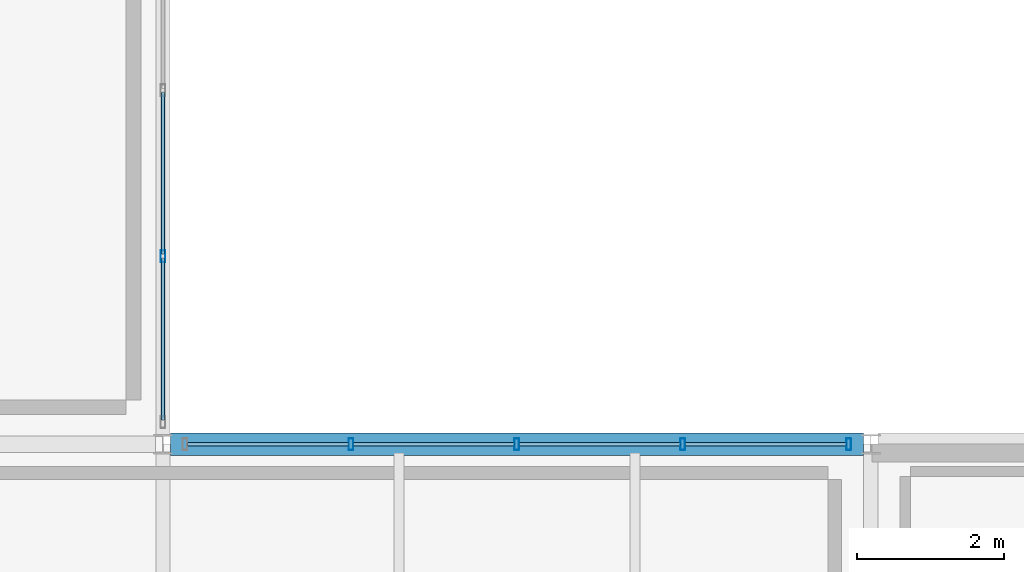
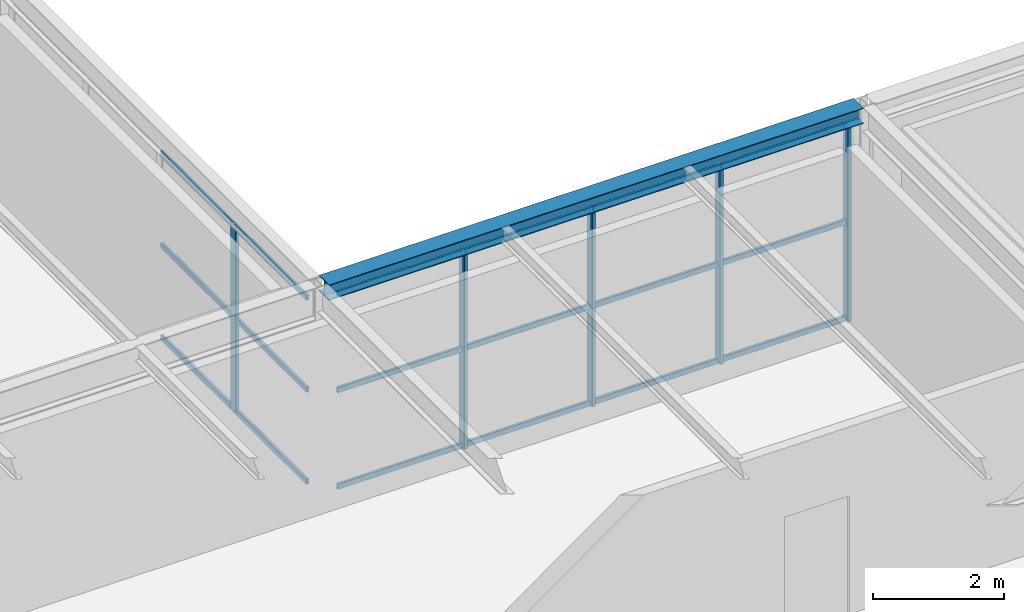
# One storey, part 16 of 39: 23 members, 1 beam, 2 elements without a shape of their own.
"""IFC4 building model written with IfcOpenShell, lengths in metres."""

from ifc_helpers import new_model, si_unit, direction, frame, origin, origin_2d, place, context, subcontext, project, spatial, hollow_rectangle, i_section, extrude, material, material_profile, profile_set, type_object, element, aggregate, save


model = new_model("IFC4")

# Units and contexts
model_context = context("Model", 3, precision=1e-05, world=origin(), true_north=direction((0.0, 1.0)))
body_context = subcontext(model_context, "Body", "Model", "MODEL_VIEW")
ifc_project = project(units=[si_unit("LENGTHUNIT", "METRE"), si_unit("AREAUNIT", "SQUARE_METRE"), si_unit("VOLUMEUNIT", "CUBIC_METRE"), si_unit("PLANEANGLEUNIT", "RADIAN"), si_unit("MASSUNIT", "GRAM", prefix="KILO")], contexts=[model_context])

# Site, building, storey
site_placement = place(None, origin())
site = spatial("IfcSite", under=ifc_project, at=site_placement, CompositionType="ELEMENT")
building_placement = place(site_placement, origin())
building = spatial("IfcBuilding", under=site, at=building_placement, Name="Coralgate Yard Interchange", CompositionType="ELEMENT")
storey_placement = place(building_placement, frame((0.0, 0.0, 18.89990234375)))
storey = spatial("IfcBuildingStorey", under=building, at=storey_placement, Name="L04", CompositionType="ELEMENT", Elevation=18.89990234375)

# Beam
ifc_material_1 = material(Name="Structural steel S355J2", Category="steel")
ifc_material_profile_1 = material_profile(ifc_material_1, i_section(OverallWidth=0.300048828125, OverallDepth=0.2900390625, WebThickness=0.008544921875, FlangeThickness=0.013916015625, FilletRadius=0.027099609375, at=origin_2d()), Name="HEA 300")
ifc_profile_set_1 = profile_set([ifc_material_profile_1], Name="Structural steel S355J2")
beam_type = type_object("IfcBeamType", Name="BM-SP-2", PredefinedType="SPANDREL", material=ifc_profile_set_1)
beam_placement = place(storey_placement, frame((19.29931640625, 19.199951171875, 3.80517578125), z_axis=(1.0, 0.0, 0.0), x_axis=(0.0, 1.0, 0.0)))
element("IfcBeam", 1, at=beam_placement, inside=storey, type_object=beam_type, Name="L04 primary grid beam Y2 X2-3", PredefinedType="SPANDREL", context=body_context, shape_type="SweptSolid", body=[
    extrude(i_section(OverallWidth=0.300048828125, OverallDepth=0.2900390625, WebThickness=0.008544921875, FlangeThickness=0.013916015625, FilletRadius=0.027099609375, at=origin_2d()), origin(), (0.0, 0.0, 1.0), 9.4013671875),
])

# Curtain wall, member
ifc_material_2 = material(Name="Anodised coastal aluminium and solar-control low-E glass", Category="aluminium")
curtain_wall_type = type_object("IfcCurtainWallType", Name="CW-CW-L04-A", PredefinedType="NOTDEFINED", material=ifc_material_2)
curtain_wall_1_placement = place(storey_placement, origin())
curtain_wall_1 = element("IfcCurtainWall", 2, at=curtain_wall_1_placement, inside=storey, type_object=curtain_wall_type, Name="L04 unitised curtain wall CW-L04-E-01-02", PredefinedType="NOTDEFINED")
ifc_material_3 = material(Name="Anodised coastal aluminium 6063-T6", Category="aluminium")
ifc_material_profile_2 = material_profile(ifc_material_3, hollow_rectangle(XDim=0.06494140625, YDim=0.159912109375, WallThickness=0.00390625, InnerFilletRadius=0.00390625, OuterFilletRadius=0.008056640625, at=origin_2d()), Name="ALU 65x160x4")
ifc_profile_set_2 = profile_set([ifc_material_profile_2], Name="Anodised coastal aluminium 6063-T6")
member_type_1 = type_object("IfcMemberType", Name="MB-MUL-160", PredefinedType="MULLION", material=ifc_profile_set_2)
member_1_placement = place(storey_placement, frame((19.199951171875, 21.75, 0.0), z_axis=(0.0, 0.0, 1.0), x_axis=(1.0, 0.0, 0.0)))
member_1 = element("IfcMember", 3, at=member_1_placement, type_object=member_type_1, Name="CW-L04-E-01-02 vertical mullion 4", PredefinedType="MULLION", context=body_context, shape_type="SweptSolid", body=[
    extrude(hollow_rectangle(XDim=0.06494140625, YDim=0.159912109375, WallThickness=0.00390625, InnerFilletRadius=0.00390625, OuterFilletRadius=0.008056640625, at=origin_2d()), origin(), (0.0, 0.0, 1.0), 3.4931640625),
])

# Curtain wall, members
curtain_wall_2_placement = place(storey_placement, origin())
curtain_wall_2 = element("IfcCurtainWall", 4, at=curtain_wall_2_placement, inside=storey, type_object=curtain_wall_type, Name="L04 unitised curtain wall CW-L04-N-02-01", PredefinedType="NOTDEFINED")
member_2_placement = place(storey_placement, frame((21.75, 19.199951171875, 0.0), z_axis=(0.0, 0.0, 1.0), x_axis=(1.0, 0.0, 0.0)))
member_2 = element("IfcMember", 5, at=member_2_placement, type_object=member_type_1, Name="CW-L04-N-02-01 vertical mullion 2", PredefinedType="MULLION", context=body_context, shape_type="SweptSolid", body=[
    extrude(hollow_rectangle(XDim=0.06494140625, YDim=0.159912109375, WallThickness=0.00390625, InnerFilletRadius=0.00390625, OuterFilletRadius=0.008056640625, at=origin_2d()), origin(), (0.0, 0.0, 1.0), 3.66015625),
])
member_3_placement = place(storey_placement, frame((24.0, 19.199951171875, 0.0), z_axis=(0.0, 0.0, 1.0), x_axis=(1.0, 0.0, 0.0)))
member_3 = element("IfcMember", 6, at=member_3_placement, type_object=member_type_1, Name="CW-L04-N-02-01 vertical mullion 3", PredefinedType="MULLION", context=body_context, shape_type="SweptSolid", body=[
    extrude(hollow_rectangle(XDim=0.06494140625, YDim=0.159912109375, WallThickness=0.00390625, InnerFilletRadius=0.00390625, OuterFilletRadius=0.008056640625, at=origin_2d()), origin(), (0.0, 0.0, 1.0), 3.66015625),
])
member_4_placement = place(storey_placement, frame((26.25, 19.199951171875, 0.0), z_axis=(0.0, 0.0, 1.0), x_axis=(1.0, 0.0, 0.0)))
member_4 = element("IfcMember", 7, at=member_4_placement, type_object=member_type_1, Name="CW-L04-N-02-01 vertical mullion 4", PredefinedType="MULLION", context=body_context, shape_type="SweptSolid", body=[
    extrude(hollow_rectangle(XDim=0.06494140625, YDim=0.159912109375, WallThickness=0.00390625, InnerFilletRadius=0.00390625, OuterFilletRadius=0.008056640625, at=origin_2d()), origin(), (0.0, 0.0, 1.0), 3.66015625),
])
member_5_placement = place(storey_placement, frame((28.5, 19.199951171875, 0.0), z_axis=(0.0, 0.0, 1.0), x_axis=(1.0, 0.0, 0.0)))
member_5 = element("IfcMember", 8, at=member_5_placement, type_object=member_type_1, Name="CW-L04-N-02-01 vertical mullion 5", PredefinedType="MULLION", context=body_context, shape_type="SweptSolid", body=[
    extrude(hollow_rectangle(XDim=0.06494140625, YDim=0.159912109375, WallThickness=0.00390625, InnerFilletRadius=0.00390625, OuterFilletRadius=0.008056640625, at=origin_2d()), origin(), (0.0, 0.0, 1.0), 3.66015625),
])

# Member
ifc_material_profile_3 = material_profile(ifc_material_3, hollow_rectangle(XDim=0.050048828125, YDim=0.10009765625, WallThickness=0.0029296875, InnerFilletRadius=0.0029296875, OuterFilletRadius=0.006103515625, at=origin_2d()), Name="ALU 50x100x3")
ifc_profile_set_3 = profile_set([ifc_material_profile_3], Name="Anodised coastal aluminium 6063-T6")
member_type_2 = type_object("IfcMemberType", Name="MB-TRN-100", PredefinedType="USERDEFINED", material=ifc_profile_set_3)
member_6_placement = place(storey_placement, frame((19.199951171875, 23.969970703125, 0.03515625), z_axis=(0.0, -1.0, 0.0), x_axis=(1.0, 0.0, 0.0)))
member_6 = element("IfcMember", 9, at=member_6_placement, type_object=member_type_2, Name="CW-L04-E-01-02 horizontal transom 3-1", ObjectType="TRANSOM", PredefinedType="USERDEFINED", context=body_context, shape_type="SweptSolid", body=[
    extrude(hollow_rectangle(XDim=0.050048828125, YDim=0.10009765625, WallThickness=0.0029296875, InnerFilletRadius=0.0029296875, OuterFilletRadius=0.006103515625, at=origin_2d()), origin(), (0.0, 0.0, 1.0), 2.18994140625),
])

member_7_placement = place(storey_placement, frame((19.199951171875, 23.969970703125, 1.74658203125), z_axis=(0.0, -1.0, 0.0), x_axis=(1.0, 0.0, 0.0)))
member_7 = element("IfcMember", 10, at=member_7_placement, type_object=member_type_2, Name="CW-L04-E-01-02 horizontal transom 3-2", ObjectType="TRANSOM", PredefinedType="USERDEFINED", context=body_context, shape_type="SweptSolid", body=[
    extrude(hollow_rectangle(XDim=0.050048828125, YDim=0.10009765625, WallThickness=0.0029296875, InnerFilletRadius=0.0029296875, OuterFilletRadius=0.006103515625, at=origin_2d()), origin(), (0.0, 0.0, 1.0), 2.18994140625),
])

member_8_placement = place(storey_placement, frame((19.199951171875, 23.969970703125, 3.4580078125), z_axis=(0.0, -1.0, 0.0), x_axis=(1.0, 0.0, 0.0)))
member_8 = element("IfcMember", 11, at=member_8_placement, type_object=member_type_2, Name="CW-L04-E-01-02 horizontal transom 3-3", ObjectType="TRANSOM", PredefinedType="USERDEFINED", context=body_context, shape_type="SweptSolid", body=[
    extrude(hollow_rectangle(XDim=0.050048828125, YDim=0.10009765625, WallThickness=0.0029296875, InnerFilletRadius=0.0029296875, OuterFilletRadius=0.006103515625, at=origin_2d()), origin(), (0.0, 0.0, 1.0), 2.18994140625),
])

member_9_placement = place(storey_placement, frame((19.199951171875, 21.719970703125, 0.03515625), z_axis=(0.0, -1.0, 0.0), x_axis=(1.0, 0.0, 0.0)))
member_9 = element("IfcMember", 12, at=member_9_placement, type_object=member_type_2, Name="CW-L04-E-01-02 horizontal transom 4-1", ObjectType="TRANSOM", PredefinedType="USERDEFINED", context=body_context, shape_type="SweptSolid", body=[
    extrude(hollow_rectangle(XDim=0.050048828125, YDim=0.10009765625, WallThickness=0.0029296875, InnerFilletRadius=0.0029296875, OuterFilletRadius=0.006103515625, at=origin_2d()), origin(), (0.0, 0.0, 1.0), 2.18994140625),
])

member_10_placement = place(storey_placement, frame((19.199951171875, 21.719970703125, 1.74658203125), z_axis=(0.0, -1.0, 0.0), x_axis=(1.0, 0.0, 0.0)))
member_10 = element("IfcMember", 13, at=member_10_placement, type_object=member_type_2, Name="CW-L04-E-01-02 horizontal transom 4-2", ObjectType="TRANSOM", PredefinedType="USERDEFINED", context=body_context, shape_type="SweptSolid", body=[
    extrude(hollow_rectangle(XDim=0.050048828125, YDim=0.10009765625, WallThickness=0.0029296875, InnerFilletRadius=0.0029296875, OuterFilletRadius=0.006103515625, at=origin_2d()), origin(), (0.0, 0.0, 1.0), 2.18994140625),
])

member_11_placement = place(storey_placement, frame((19.199951171875, 21.719970703125, 3.4580078125), z_axis=(0.0, -1.0, 0.0), x_axis=(1.0, 0.0, 0.0)))
member_11 = element("IfcMember", 14, at=member_11_placement, type_object=member_type_2, Name="CW-L04-E-01-02 horizontal transom 4-3", ObjectType="TRANSOM", PredefinedType="USERDEFINED", context=body_context, shape_type="SweptSolid", body=[
    extrude(hollow_rectangle(XDim=0.050048828125, YDim=0.10009765625, WallThickness=0.0029296875, InnerFilletRadius=0.0029296875, OuterFilletRadius=0.006103515625, at=origin_2d()), origin(), (0.0, 0.0, 1.0), 2.18994140625),
])

aggregate(curtain_wall_1, [member_1, member_6, member_7, member_8, member_9, member_10, member_11])

member_12_placement = place(storey_placement, frame((19.530029296875, 19.199951171875, 0.03515625), z_axis=(1.0, 0.0, 0.0), x_axis=(0.0, 1.0, 0.0)))
member_12 = element("IfcMember", 15, at=member_12_placement, type_object=member_type_2, Name="CW-L04-N-02-01 horizontal transom 1-1", ObjectType="TRANSOM", PredefinedType="USERDEFINED", context=body_context, shape_type="SweptSolid", body=[
    extrude(hollow_rectangle(XDim=0.050048828125, YDim=0.10009765625, WallThickness=0.0029296875, InnerFilletRadius=0.0029296875, OuterFilletRadius=0.006103515625, at=origin_2d()), origin(), (0.0, 0.0, 1.0), 2.18994140625),
])

member_13_placement = place(storey_placement, frame((19.530029296875, 19.199951171875, 1.830078125), z_axis=(1.0, 0.0, 0.0), x_axis=(0.0, 1.0, 0.0)))
member_13 = element("IfcMember", 16, at=member_13_placement, type_object=member_type_2, Name="CW-L04-N-02-01 horizontal transom 1-2", ObjectType="TRANSOM", PredefinedType="USERDEFINED", context=body_context, shape_type="SweptSolid", body=[
    extrude(hollow_rectangle(XDim=0.050048828125, YDim=0.10009765625, WallThickness=0.0029296875, InnerFilletRadius=0.0029296875, OuterFilletRadius=0.006103515625, at=origin_2d()), origin(), (0.0, 0.0, 1.0), 2.18994140625),
])

member_14_placement = place(storey_placement, frame((19.530029296875, 19.199951171875, 3.625), z_axis=(1.0, 0.0, 0.0), x_axis=(0.0, 1.0, 0.0)))
member_14 = element("IfcMember", 17, at=member_14_placement, type_object=member_type_2, Name="CW-L04-N-02-01 horizontal transom 1-3", ObjectType="TRANSOM", PredefinedType="USERDEFINED", context=body_context, shape_type="SweptSolid", body=[
    extrude(hollow_rectangle(XDim=0.050048828125, YDim=0.10009765625, WallThickness=0.0029296875, InnerFilletRadius=0.0029296875, OuterFilletRadius=0.006103515625, at=origin_2d()), origin(), (0.0, 0.0, 1.0), 2.18994140625),
])

member_15_placement = place(storey_placement, frame((21.780029296875, 19.199951171875, 0.03515625), z_axis=(1.0, 0.0, 0.0), x_axis=(0.0, 1.0, 0.0)))
member_15 = element("IfcMember", 18, at=member_15_placement, type_object=member_type_2, Name="CW-L04-N-02-01 horizontal transom 2-1", ObjectType="TRANSOM", PredefinedType="USERDEFINED", context=body_context, shape_type="SweptSolid", body=[
    extrude(hollow_rectangle(XDim=0.050048828125, YDim=0.10009765625, WallThickness=0.0029296875, InnerFilletRadius=0.0029296875, OuterFilletRadius=0.006103515625, at=origin_2d()), origin(), (0.0, 0.0, 1.0), 2.18994140625),
])

member_16_placement = place(storey_placement, frame((21.780029296875, 19.199951171875, 1.830078125), z_axis=(1.0, 0.0, 0.0), x_axis=(0.0, 1.0, 0.0)))
member_16 = element("IfcMember", 19, at=member_16_placement, type_object=member_type_2, Name="CW-L04-N-02-01 horizontal transom 2-2", ObjectType="TRANSOM", PredefinedType="USERDEFINED", context=body_context, shape_type="SweptSolid", body=[
    extrude(hollow_rectangle(XDim=0.050048828125, YDim=0.10009765625, WallThickness=0.0029296875, InnerFilletRadius=0.0029296875, OuterFilletRadius=0.006103515625, at=origin_2d()), origin(), (0.0, 0.0, 1.0), 2.18994140625),
])

member_17_placement = place(storey_placement, frame((21.780029296875, 19.199951171875, 3.625), z_axis=(1.0, 0.0, 0.0), x_axis=(0.0, 1.0, 0.0)))
member_17 = element("IfcMember", 20, at=member_17_placement, type_object=member_type_2, Name="CW-L04-N-02-01 horizontal transom 2-3", ObjectType="TRANSOM", PredefinedType="USERDEFINED", context=body_context, shape_type="SweptSolid", body=[
    extrude(hollow_rectangle(XDim=0.050048828125, YDim=0.10009765625, WallThickness=0.0029296875, InnerFilletRadius=0.0029296875, OuterFilletRadius=0.006103515625, at=origin_2d()), origin(), (0.0, 0.0, 1.0), 2.18994140625),
])

member_18_placement = place(storey_placement, frame((24.030029296875, 19.199951171875, 0.03515625), z_axis=(1.0, 0.0, 0.0), x_axis=(0.0, 1.0, 0.0)))
member_18 = element("IfcMember", 21, at=member_18_placement, type_object=member_type_2, Name="CW-L04-N-02-01 horizontal transom 3-1", ObjectType="TRANSOM", PredefinedType="USERDEFINED", context=body_context, shape_type="SweptSolid", body=[
    extrude(hollow_rectangle(XDim=0.050048828125, YDim=0.10009765625, WallThickness=0.0029296875, InnerFilletRadius=0.0029296875, OuterFilletRadius=0.006103515625, at=origin_2d()), origin(), (0.0, 0.0, 1.0), 2.18994140625),
])

member_19_placement = place(storey_placement, frame((24.030029296875, 19.199951171875, 1.830078125), z_axis=(1.0, 0.0, 0.0), x_axis=(0.0, 1.0, 0.0)))
member_19 = element("IfcMember", 22, at=member_19_placement, type_object=member_type_2, Name="CW-L04-N-02-01 horizontal transom 3-2", ObjectType="TRANSOM", PredefinedType="USERDEFINED", context=body_context, shape_type="SweptSolid", body=[
    extrude(hollow_rectangle(XDim=0.050048828125, YDim=0.10009765625, WallThickness=0.0029296875, InnerFilletRadius=0.0029296875, OuterFilletRadius=0.006103515625, at=origin_2d()), origin(), (0.0, 0.0, 1.0), 2.18994140625),
])

member_20_placement = place(storey_placement, frame((24.030029296875, 19.199951171875, 3.625), z_axis=(1.0, 0.0, 0.0), x_axis=(0.0, 1.0, 0.0)))
member_20 = element("IfcMember", 23, at=member_20_placement, type_object=member_type_2, Name="CW-L04-N-02-01 horizontal transom 3-3", ObjectType="TRANSOM", PredefinedType="USERDEFINED", context=body_context, shape_type="SweptSolid", body=[
    extrude(hollow_rectangle(XDim=0.050048828125, YDim=0.10009765625, WallThickness=0.0029296875, InnerFilletRadius=0.0029296875, OuterFilletRadius=0.006103515625, at=origin_2d()), origin(), (0.0, 0.0, 1.0), 2.18994140625),
])

member_21_placement = place(storey_placement, frame((26.280029296875, 19.199951171875, 0.03515625), z_axis=(1.0, 0.0, 0.0), x_axis=(0.0, 1.0, 0.0)))
member_21 = element("IfcMember", 24, at=member_21_placement, type_object=member_type_2, Name="CW-L04-N-02-01 horizontal transom 4-1", ObjectType="TRANSOM", PredefinedType="USERDEFINED", context=body_context, shape_type="SweptSolid", body=[
    extrude(hollow_rectangle(XDim=0.050048828125, YDim=0.10009765625, WallThickness=0.0029296875, InnerFilletRadius=0.0029296875, OuterFilletRadius=0.006103515625, at=origin_2d()), origin(), (0.0, 0.0, 1.0), 2.18994140625),
])

member_22_placement = place(storey_placement, frame((26.280029296875, 19.199951171875, 1.830078125), z_axis=(1.0, 0.0, 0.0), x_axis=(0.0, 1.0, 0.0)))
member_22 = element("IfcMember", 25, at=member_22_placement, type_object=member_type_2, Name="CW-L04-N-02-01 horizontal transom 4-2", ObjectType="TRANSOM", PredefinedType="USERDEFINED", context=body_context, shape_type="SweptSolid", body=[
    extrude(hollow_rectangle(XDim=0.050048828125, YDim=0.10009765625, WallThickness=0.0029296875, InnerFilletRadius=0.0029296875, OuterFilletRadius=0.006103515625, at=origin_2d()), origin(), (0.0, 0.0, 1.0), 2.18994140625),
])

member_23_placement = place(storey_placement, frame((26.280029296875, 19.199951171875, 3.625), z_axis=(1.0, 0.0, 0.0), x_axis=(0.0, 1.0, 0.0)))
member_23 = element("IfcMember", 26, at=member_23_placement, type_object=member_type_2, Name="CW-L04-N-02-01 horizontal transom 4-3", ObjectType="TRANSOM", PredefinedType="USERDEFINED", context=body_context, shape_type="SweptSolid", body=[
    extrude(hollow_rectangle(XDim=0.050048828125, YDim=0.10009765625, WallThickness=0.0029296875, InnerFilletRadius=0.0029296875, OuterFilletRadius=0.006103515625, at=origin_2d()), origin(), (0.0, 0.0, 1.0), 2.18994140625),
])

aggregate(curtain_wall_2, [member_2, member_3, member_4, member_5, member_12, member_13, member_14, member_15, member_16, member_17, member_18, member_19, member_20, member_21, member_22, member_23])

save(model, "model.ifc")
